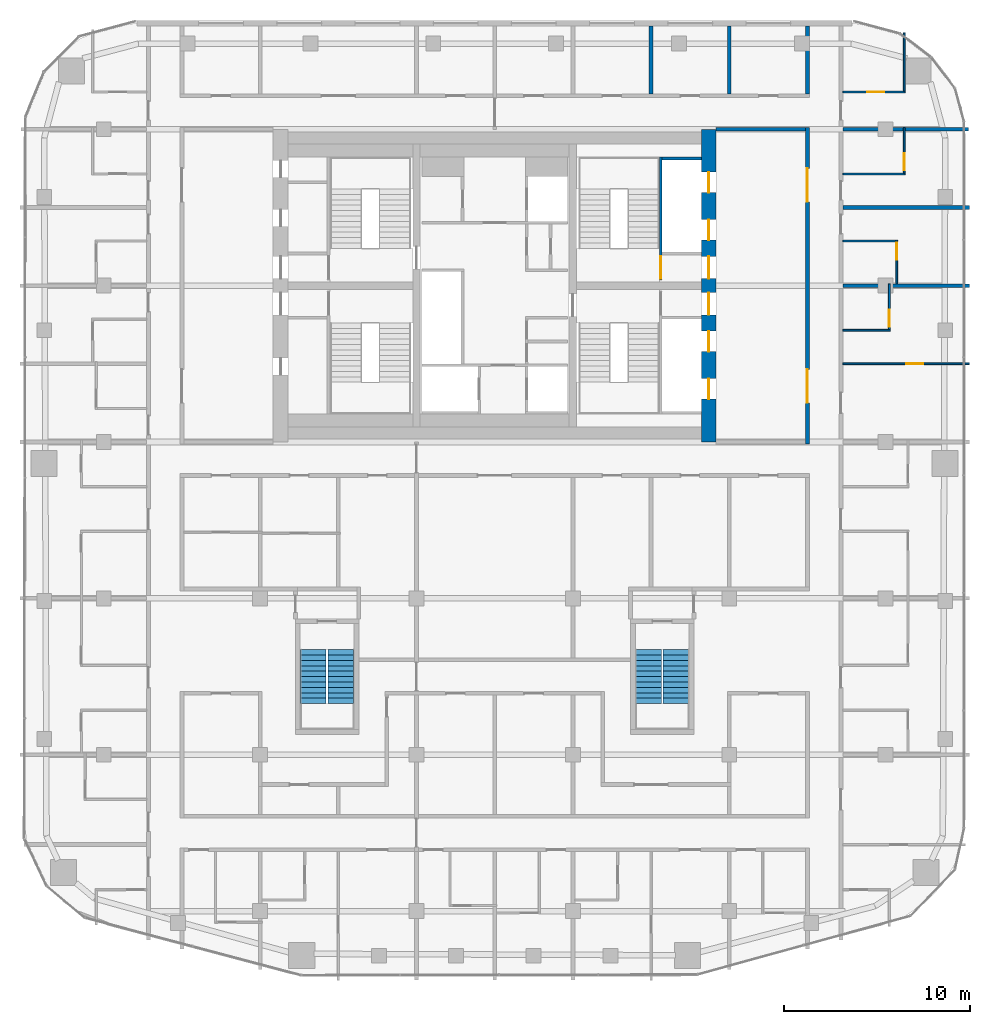
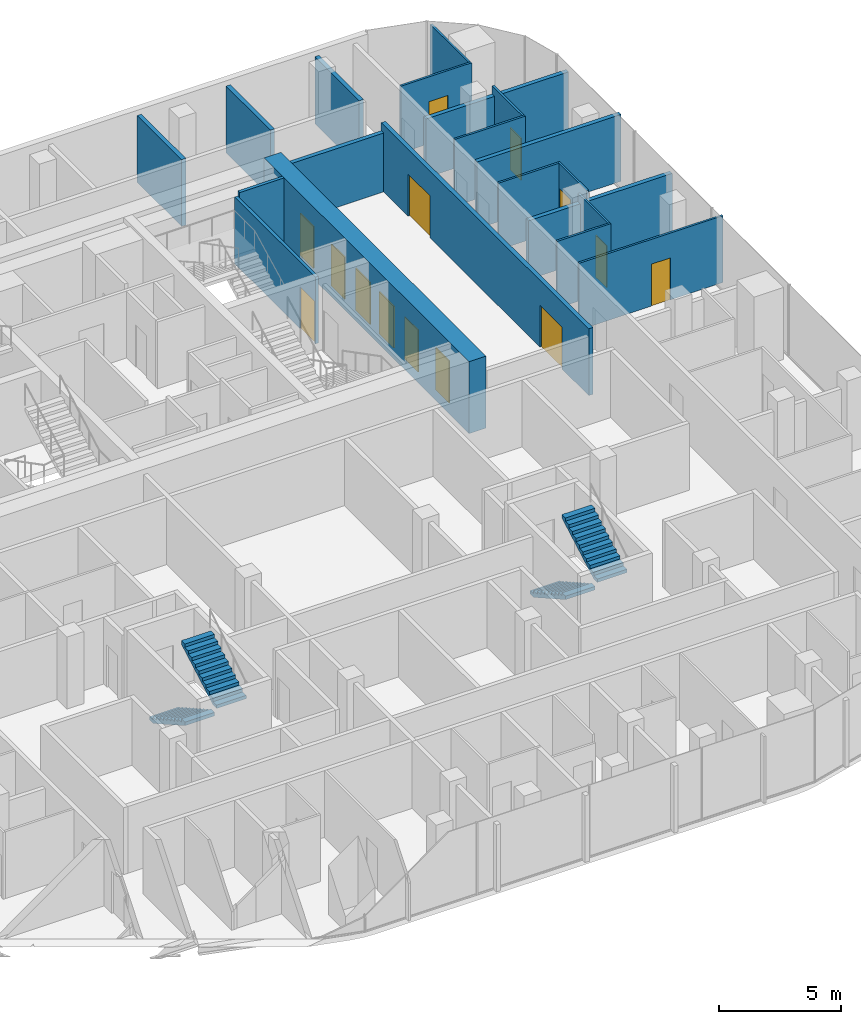
# One storey, part 20 of 22: 20 walls, 14 doors, 4 stair flights, 14 openings, 2 elements without a shape of their own.
"""IFC4 building model written with IfcOpenShell, lengths in metres."""

from ifc_helpers import new_model, si_unit, direction, frame, frame_2d, origin, place, context, subcontext, project, spatial, polyline, rectangle, outline, extrude, material, layer, layer_set, type_object, element, fill, aggregate, save


model = new_model("IFC4")

# Units and contexts
model_context = context("Model", 3, precision=1e-05, world=origin(), true_north=direction((0.0, 1.0)))
body_context = subcontext(model_context, "Body", "Model", "MODEL_VIEW")
ifc_project = project(units=[si_unit("LENGTHUNIT", "METRE"), si_unit("AREAUNIT", "SQUARE_METRE"), si_unit("VOLUMEUNIT", "CUBIC_METRE"), si_unit("PLANEANGLEUNIT", "RADIAN"), si_unit("MASSUNIT", "GRAM", prefix="KILO")], contexts=[model_context])

# Site, building, storey
site_placement = place(None, origin())
site = spatial("IfcSite", under=ifc_project, at=site_placement, CompositionType="ELEMENT")
building_placement = place(site_placement, origin())
building = spatial("IfcBuilding", under=site, at=building_placement, Name="Marenta Gate Hotel Tower", CompositionType="ELEMENT")
storey_placement = place(building_placement, frame((0.0, 0.0, 230.89990234375)))
storey = spatial("IfcBuildingStorey", under=building, at=storey_placement, Name="L54", CompositionType="ELEMENT", Elevation=230.89990234375)

# Wall, openings, doors
ifc_material_1 = material(Name="Concrete blockwork", Category="masonry")
ifc_layer_1 = layer(ifc_material_1, 0.199951171875)
ifc_layer_set_1 = layer_set([ifc_layer_1], Name="Concrete blockwork")
wall_type_1 = type_object("IfcWallType", Name="Core boundary wall 200 REI 180", PredefinedType="PARTITIONING", material=ifc_layer_set_1)
wall_1_placement = place(storey_placement, frame((16.800048828125, -0.10009765625, 0.0), z_axis=(0.0, 0.0, 1.0), x_axis=(0.0, 1.0, 0.0)))
wall_1 = element("IfcWall", 1, at=wall_1_placement, inside=storey, type_object=wall_type_1, Name="L54-CP-BW-E", PredefinedType="PARTITIONING", context=body_context, shape_type="SweptSolid", body=[
    extrude(rectangle(XDim=17.0, YDim=0.199951171875, at=frame_2d((8.5, 0.0))), origin(), (0.0, 0.0, 1.0), 3.340087890625),
])
opening_1_placement = place(wall_1_placement, frame((2.199951171875, 0.0, 0.0)))
opening_1 = element("IfcOpeningElement", 2, at=opening_1_placement, cuts=wall_1, Name="Opening ED-Ea-B", PredefinedType="OPENING", context=body_context, shape_type="SweptSolid", body=[
    extrude(rectangle(XDim=1.800048828125, YDim=2.10009765625, at=frame_2d((0.89990234375, 1.050048828125))), frame((0.0, 0.10009765625, 0.0), z_axis=(0.0, -1.0, 0.0), x_axis=(1.0, 0.0, 0.0)), (0.0, 0.0, 1.0), 0.199951171875),
])
opening_2_placement = place(wall_1_placement, frame((13.0, 0.0, 0.0)))
opening_2 = element("IfcOpeningElement", 3, at=opening_2_placement, cuts=wall_1, Name="Opening ED-Eb-B", PredefinedType="OPENING", context=body_context, shape_type="SweptSolid", body=[
    extrude(rectangle(XDim=1.800048828125, YDim=2.10009765625, at=frame_2d((0.89990234375, 1.050048828125))), frame((0.0, 0.10009765625, 0.0), z_axis=(0.0, -1.0, 0.0), x_axis=(1.0, 0.0, 0.0)), (0.0, 0.0, 1.0), 0.199951171875),
])
ifc_material_2 = material(Name="Steel", Category="steel")
door_type_1 = type_object("IfcDoorType", Name="Core lobby entrance door 1800x2100 EI 60", OperationType="DOUBLE_DOOR_SINGLE_SWING", PredefinedType="DOOR", material=ifc_material_2)
door_1_placement = place(opening_1_placement, origin())
door_1 = element("IfcDoor", 4, at=door_1_placement, inside=storey, type_object=door_type_1, Name="ED-Ea-B", OperationType="DOUBLE_DOOR_SINGLE_SWING", OverallHeight=2.10009765625, OverallWidth=1.800048828125, PredefinedType="DOOR", context=body_context, shape_type="SweptSolid", body=[
    extrude(rectangle(XDim=1.800048828125, YDim=2.10009765625, at=frame_2d((0.89990234375, 1.050048828125))), frame((0.0, 0.02490234375, 0.0), z_axis=(0.0, -1.0, 0.0), x_axis=(1.0, 0.0, 0.0)), (0.0, 0.0, 1.0), 0.050048828125),
])
fill(opening_1, door_1)
door_2_placement = place(opening_2_placement, origin())
door_2 = element("IfcDoor", 5, at=door_2_placement, inside=storey, type_object=door_type_1, Name="ED-Eb-B", OperationType="DOUBLE_DOOR_SINGLE_SWING", OverallHeight=2.10009765625, OverallWidth=1.800048828125, PredefinedType="DOOR", context=body_context, shape_type="SweptSolid", body=[
    extrude(rectangle(XDim=1.800048828125, YDim=2.10009765625, at=frame_2d((0.89990234375, 1.050048828125))), frame((0.0, 0.02490234375, 0.0), z_axis=(0.0, -1.0, 0.0), x_axis=(1.0, 0.0, 0.0)), (0.0, 0.0, 1.0), 0.050048828125),
])
fill(opening_2, door_2)

# Walls
wall_2_placement = place(storey_placement, frame((11.89990234375, 16.800048828125, 0.0), z_axis=(0.0, 0.0, 1.0), x_axis=(1.0, 0.0, 0.0)))
element("IfcWall", 6, at=wall_2_placement, inside=storey, type_object=wall_type_1, Name="L54-CP-EW-EN", PredefinedType="PARTITIONING", context=body_context, shape_type="SweptSolid", body=[
    extrude(rectangle(XDim=4.800048828125, YDim=0.199951171875, at=frame_2d((2.39990234375, 0.0))), origin(), (0.0, 0.0, 1.0), 2.940185546875),
])
ifc_material_3 = material(Name="Concrete C40", Category="concrete")
ifc_layer_2 = layer(ifc_material_3, 0.14990234375)
ifc_layer_set_2 = layer_set([ifc_layer_2], Name="Concrete C40")
wall_type_2 = type_object("IfcWallType", Name="Core shaft wall 150 REI 180", PredefinedType="SHEAR", material=ifc_layer_set_2)
wall_3_placement = place(storey_placement, frame((9.0, 15.22509765625, 0.0), z_axis=(0.0, 0.0, 1.0), x_axis=(1.0, 0.0, 0.0)))
element("IfcWall", 7, at=wall_3_placement, inside=storey, type_object=wall_type_2, Name="L54-SHF-SW-EN-5", PredefinedType="SHEAR", context=body_context, shape_type="SweptSolid", body=[
    extrude(rectangle(XDim=2.10009765625, YDim=0.14990234375, at=frame_2d((1.050048828125, 0.0))), origin(), (0.0, 0.0, 1.0), 3.60009765625),
])

# Wall, opening, door
ifc_material_4 = material(Name="Concrete C40", Category="concrete")
ifc_layer_3 = layer(ifc_material_4, 0.14990234375)
ifc_layer_set_3 = layer_set([ifc_layer_3], Name="Concrete C40")
wall_type_3 = type_object("IfcWallType", Name="Core stair enclosure wall 150 REI 180", PredefinedType="SHEAR", material=ifc_layer_set_3)
wall_4_placement = place(storey_placement, frame((8.925048828125, 8.699951171875, 0.0), z_axis=(0.0, 0.0, 1.0), x_axis=(0.0, 1.0, 0.0)))
wall_4 = element("IfcWall", 8, at=wall_4_placement, inside=storey, type_object=wall_type_3, Name="L54-SHF-SW-EN-3", PredefinedType="SHEAR", context=body_context, shape_type="SweptSolid", body=[
    extrude(rectangle(XDim=6.60009765625, YDim=0.14990234375, at=frame_2d((3.300048828125, 0.0))), origin(), (0.0, 0.0, 1.0), 3.340087890625),
])
opening_3_placement = place(wall_4_placement, frame((0.074951171875, 0.0, 0.0)))
opening_3 = element("IfcOpeningElement", 9, at=opening_3_placement, cuts=wall_4, Name="Opening SD-EN", PredefinedType="OPENING", context=body_context, shape_type="SweptSolid", body=[
    extrude(rectangle(XDim=1.199951171875, YDim=2.10009765625, at=frame_2d((0.60009765625, 1.050048828125))), frame((0.0, 0.074951171875, 0.0), z_axis=(0.0, -1.0, 0.0), x_axis=(1.0, 0.0, 0.0)), (0.0, 0.0, 1.0), 0.14990234375),
])
ifc_material_5 = material(Name="Steel", Category="steel")
door_type_2 = type_object("IfcDoorType", Name="Core stair door 1200x2100 FD60", OperationType="SINGLE_SWING_LEFT", PredefinedType="DOOR", material=ifc_material_5)
door_3_placement = place(opening_3_placement, origin())
door_3 = element("IfcDoor", 10, at=door_3_placement, inside=storey, type_object=door_type_2, Name="SD-EN", OperationType="SINGLE_SWING_LEFT", OverallHeight=2.10009765625, OverallWidth=1.199951171875, PredefinedType="DOOR", context=body_context, shape_type="SweptSolid", body=[
    extrude(rectangle(XDim=1.199951171875, YDim=2.10009765625, at=frame_2d((0.60009765625, 1.050048828125))), frame((0.0, 0.02490234375, 0.0), z_axis=(0.0, -1.0, 0.0), x_axis=(1.0, 0.0, 0.0)), (0.0, 0.0, 1.0), 0.050048828125),
])
fill(opening_3, door_3)

# Wall, openings, doors
ifc_material_6 = material(Name="Concrete C60", Category="concrete")
ifc_layer_4 = layer(ifc_material_6, 0.800048828125)
ifc_layer_set_4 = layer_set([ifc_layer_4], Name="Concrete C60")
wall_type_4 = type_object("IfcWallType", Name="Core wall 800 C60", PredefinedType="SHEAR", material=ifc_layer_set_4)
wall_5_placement = place(storey_placement, frame((11.5, 0.0, 0.0), z_axis=(0.0, 0.0, 1.0), x_axis=(0.0, 1.0, 0.0)))
wall_5 = element("IfcWall", 11, at=wall_5_placement, inside=storey, type_object=wall_type_4, Name="L54-CORE-E", PredefinedType="SHEAR", context=body_context, shape_type="SweptSolid", body=[
    extrude(rectangle(XDim=16.800048828125, YDim=0.800048828125, at=frame_2d((8.39990234375, 0.0))), origin(), (0.0, 0.0, 1.0), 3.60009765625),
])
opening_4_placement = place(wall_5_placement, frame((2.300048828125, 0.0, 0.0)))
opening_4 = element("IfcOpeningElement", 12, at=opening_4_placement, cuts=wall_5, Name="Opening LD-HR1", PredefinedType="OPENING", context=body_context, shape_type="SweptSolid", body=[
    extrude(rectangle(XDim=1.10009765625, YDim=2.10009765625, at=frame_2d((0.550048828125, 1.050048828125))), frame((0.0, 0.39990234375, 0.0), z_axis=(0.0, -1.0, 0.0), x_axis=(1.0, 0.0, 0.0)), (0.0, 0.0, 1.0), 0.800048828125),
])
opening_5_placement = place(wall_5_placement, frame((4.85009765625, 0.0, 0.0)))
opening_5 = element("IfcOpeningElement", 13, at=opening_5_placement, cuts=wall_5, Name="Opening LD-HR2", PredefinedType="OPENING", context=body_context, shape_type="SweptSolid", body=[
    extrude(rectangle(XDim=1.10009765625, YDim=2.10009765625, at=frame_2d((0.550048828125, 1.050048828125))), frame((0.0, 0.39990234375, 0.0), z_axis=(0.0, -1.0, 0.0), x_axis=(1.0, 0.0, 0.0)), (0.0, 0.0, 1.0), 0.800048828125),
])
opening_6_placement = place(wall_5_placement, frame((6.824951171875, 0.0, 0.0)))
opening_6 = element("IfcOpeningElement", 14, at=opening_6_placement, cuts=wall_5, Name="Opening PD-ES", PredefinedType="OPENING", context=body_context, shape_type="SweptSolid", body=[
    extrude(rectangle(XDim=1.199951171875, YDim=2.10009765625, at=frame_2d((0.60009765625, 1.050048828125))), frame((0.0, 0.39990234375, 0.0), z_axis=(0.0, -1.0, 0.0), x_axis=(1.0, 0.0, 0.0)), (0.0, 0.0, 1.0), 0.800048828125),
])
opening_7_placement = place(wall_5_placement, frame((13.39990234375, 0.0, 0.0)))
opening_7 = element("IfcOpeningElement", 15, at=opening_7_placement, cuts=wall_5, Name="Opening LD-HR4", PredefinedType="OPENING", context=body_context, shape_type="SweptSolid", body=[
    extrude(rectangle(XDim=1.10009765625, YDim=2.10009765625, at=frame_2d((0.550048828125, 1.050048828125))), frame((0.0, 0.39990234375, 0.0), z_axis=(0.0, -1.0, 0.0), x_axis=(1.0, 0.0, 0.0)), (0.0, 0.0, 1.0), 0.800048828125),
])
opening_8_placement = place(wall_5_placement, frame((10.85009765625, 0.0, 0.0)))
opening_8 = element("IfcOpeningElement", 16, at=opening_8_placement, cuts=wall_5, Name="Opening LD-HR3", PredefinedType="OPENING", context=body_context, shape_type="SweptSolid", body=[
    extrude(rectangle(XDim=1.10009765625, YDim=2.10009765625, at=frame_2d((0.550048828125, 1.050048828125))), frame((0.0, 0.39990234375, 0.0), z_axis=(0.0, -1.0, 0.0), x_axis=(1.0, 0.0, 0.0)), (0.0, 0.0, 1.0), 0.800048828125),
])
opening_9_placement = place(wall_5_placement, frame((8.77490234375, 0.0, 0.0)))
opening_9 = element("IfcOpeningElement", 17, at=opening_9_placement, cuts=wall_5, Name="Opening PD-EN", PredefinedType="OPENING", context=body_context, shape_type="SweptSolid", body=[
    extrude(rectangle(XDim=1.199951171875, YDim=2.10009765625, at=frame_2d((0.60009765625, 1.050048828125))), frame((0.0, 0.39990234375, 0.0), z_axis=(0.0, -1.0, 0.0), x_axis=(1.0, 0.0, 0.0)), (0.0, 0.0, 1.0), 0.800048828125),
])
ifc_material_7 = material(Name="Steel", Category="steel")
door_type_3 = type_object("IfcDoorType", Name="Core lift landing door 1100x2100 E 60", OperationType="SLIDING_TO_LEFT", PredefinedType="DOOR", material=ifc_material_7)
door_4_placement = place(opening_4_placement, origin())
door_4 = element("IfcDoor", 18, at=door_4_placement, inside=storey, type_object=door_type_3, Name="LD-HR1", OperationType="SLIDING_TO_LEFT", OverallHeight=2.10009765625, OverallWidth=1.10009765625, PredefinedType="DOOR", context=body_context, shape_type="SweptSolid", body=[
    extrude(rectangle(XDim=1.10009765625, YDim=2.10009765625, at=frame_2d((0.550048828125, 1.050048828125))), frame((0.0, 0.02490234375, 0.0), z_axis=(0.0, -1.0, 0.0), x_axis=(1.0, 0.0, 0.0)), (0.0, 0.0, 1.0), 0.050048828125),
])
fill(opening_4, door_4)
door_5_placement = place(opening_5_placement, origin())
door_5 = element("IfcDoor", 19, at=door_5_placement, inside=storey, type_object=door_type_3, Name="LD-HR2", OperationType="SLIDING_TO_LEFT", OverallHeight=2.10009765625, OverallWidth=1.10009765625, PredefinedType="DOOR", context=body_context, shape_type="SweptSolid", body=[
    extrude(rectangle(XDim=1.10009765625, YDim=2.10009765625, at=frame_2d((0.550048828125, 1.050048828125))), frame((0.0, 0.02490234375, 0.0), z_axis=(0.0, -1.0, 0.0), x_axis=(1.0, 0.0, 0.0)), (0.0, 0.0, 1.0), 0.050048828125),
])
fill(opening_5, door_5)
door_6_placement = place(opening_7_placement, origin())
door_6 = element("IfcDoor", 20, at=door_6_placement, inside=storey, type_object=door_type_3, Name="LD-HR4", OperationType="SLIDING_TO_LEFT", OverallHeight=2.10009765625, OverallWidth=1.10009765625, PredefinedType="DOOR", context=body_context, shape_type="SweptSolid", body=[
    extrude(rectangle(XDim=1.10009765625, YDim=2.10009765625, at=frame_2d((0.550048828125, 1.050048828125))), frame((0.0, 0.02490234375, 0.0), z_axis=(0.0, -1.0, 0.0), x_axis=(1.0, 0.0, 0.0)), (0.0, 0.0, 1.0), 0.050048828125),
])
fill(opening_7, door_6)
door_7_placement = place(opening_8_placement, origin())
door_7 = element("IfcDoor", 21, at=door_7_placement, inside=storey, type_object=door_type_3, Name="LD-HR3", OperationType="SLIDING_TO_LEFT", OverallHeight=2.10009765625, OverallWidth=1.10009765625, PredefinedType="DOOR", context=body_context, shape_type="SweptSolid", body=[
    extrude(rectangle(XDim=1.10009765625, YDim=2.10009765625, at=frame_2d((0.550048828125, 1.050048828125))), frame((0.0, 0.02490234375, 0.0), z_axis=(0.0, -1.0, 0.0), x_axis=(1.0, 0.0, 0.0)), (0.0, 0.0, 1.0), 0.050048828125),
])
fill(opening_8, door_7)
ifc_material_8 = material(Name="Steel", Category="steel")
door_type_4 = type_object("IfcDoorType", Name="Core lobby door 1200x2100 FD60", OperationType="SINGLE_SWING_LEFT", PredefinedType="DOOR", material=ifc_material_8)
door_8_placement = place(opening_6_placement, origin())
door_8 = element("IfcDoor", 22, at=door_8_placement, inside=storey, type_object=door_type_4, Name="PD-ES", OperationType="SINGLE_SWING_LEFT", OverallHeight=2.10009765625, OverallWidth=1.199951171875, PredefinedType="DOOR", context=body_context, shape_type="SweptSolid", body=[
    extrude(rectangle(XDim=1.199951171875, YDim=2.10009765625, at=frame_2d((0.60009765625, 1.050048828125))), frame((0.0, 0.02490234375, 0.0), z_axis=(0.0, -1.0, 0.0), x_axis=(1.0, 0.0, 0.0)), (0.0, 0.0, 1.0), 0.050048828125),
])
fill(opening_6, door_8)
door_9_placement = place(opening_9_placement, origin())
door_9 = element("IfcDoor", 23, at=door_9_placement, inside=storey, type_object=door_type_4, Name="PD-EN", OperationType="SINGLE_SWING_LEFT", OverallHeight=2.10009765625, OverallWidth=1.199951171875, PredefinedType="DOOR", context=body_context, shape_type="SweptSolid", body=[
    extrude(rectangle(XDim=1.199951171875, YDim=2.10009765625, at=frame_2d((0.60009765625, 1.050048828125))), frame((0.0, 0.02490234375, 0.0), z_axis=(0.0, -1.0, 0.0), x_axis=(1.0, 0.0, 0.0)), (0.0, 0.0, 1.0), 0.050048828125),
])
fill(opening_9, door_9)

# Wall
ifc_material_9 = material(Name="Gypsum board on steel stud", Category="steel")
ifc_layer_5 = layer(ifc_material_9, 0.199951171875)
ifc_layer_set_5 = layer_set([ifc_layer_5], Name="Gypsum board on steel stud")
wall_type_5 = type_object("IfcWallType", Name="Room corridor wall 200 EI 60", PredefinedType="PARTITIONING", material=ifc_layer_set_5)
wall_6_placement = place(storey_placement, frame((16.800048828125, 18.699951171875, 0.0), z_axis=(0.0, 0.0, 1.0), x_axis=(0.0, 1.0, 0.0)))
element("IfcWall", 24, at=wall_6_placement, inside=storey, type_object=wall_type_5, Name="L54-PTN-W029", PredefinedType="PARTITIONING", context=body_context, shape_type="SweptSolid", body=[
    extrude(rectangle(XDim=3.64013671875, YDim=0.199951171875, at=frame_2d((1.820068359375, 0.0))), origin(), (0.0, 0.0, 1.0), 3.340087890625),
])

# Wall, opening, door
ifc_material_10 = material(Name="Gypsum board on steel stud", Category="steel")
ifc_layer_6 = layer(ifc_material_10, 0.10009765625)
ifc_layer_set_6 = layer_set([ifc_layer_6], Name="Gypsum board on steel stud")
wall_type_6 = type_object("IfcWallType", Name="Room partition 100", PredefinedType="PARTITIONING", material=ifc_layer_set_6)
wall_7_placement = place(storey_placement, frame((22.0, 14.449951171875, 0.0), z_axis=(0.0, 0.0, 1.0), x_axis=(0.0, 1.0, 0.0)))
wall_7 = element("IfcWall", 25, at=wall_7_placement, inside=storey, type_object=wall_type_6, Name="L54-PTN-W013", PredefinedType="PARTITIONING", context=body_context, shape_type="SweptSolid", body=[
    extrude(rectangle(XDim=2.449951171875, YDim=0.10009765625, at=frame_2d((1.22509765625, 0.0))), origin(), (0.0, 0.0, 1.0), 3.340087890625),
])
opening_10_placement = place(wall_7_placement, frame((0.14990234375, 0.0, 0.0)))
opening_10 = element("IfcOpeningElement", 26, at=opening_10_placement, cuts=wall_7, Name="Opening G20-32", PredefinedType="OPENING", context=body_context, shape_type="SweptSolid", body=[
    extrude(rectangle(XDim=0.89990234375, YDim=2.10009765625, at=frame_2d((0.449951171875, 1.050048828125))), frame((0.0, 0.050048828125, 0.0), z_axis=(0.0, -1.0, 0.0), x_axis=(1.0, 0.0, 0.0)), (0.0, 0.0, 1.0), 0.10009765625),
])
ifc_material_11 = material(Name="Timber door leaf", Category="wood")
door_type_5 = type_object("IfcDoorType", Name="Guest bathroom door 900x2100", OperationType="NOTDEFINED", PredefinedType="DOOR", material=ifc_material_11)
door_10_placement = place(opening_10_placement, origin())
door_10 = element("IfcDoor", 27, at=door_10_placement, inside=storey, type_object=door_type_5, Name="L54-PD-D032", OperationType="SINGLE_SWING_LEFT", OverallHeight=2.10009765625, OverallWidth=0.89990234375, PredefinedType="DOOR", context=body_context, shape_type="SweptSolid", body=[
    extrude(rectangle(XDim=0.89990234375, YDim=2.10009765625, at=frame_2d((0.449951171875, 1.050048828125))), frame((0.0, 0.02490234375, 0.0), z_axis=(0.0, -1.0, 0.0), x_axis=(1.0, 0.0, 0.0)), (0.0, 0.0, 1.0), 0.050048828125),
])
fill(opening_10, door_10)

# Wall
wall_8_placement = place(storey_placement, frame((22.0, 18.85009765625, 0.0), z_axis=(0.0, 0.0, 1.0), x_axis=(0.0, 1.0, 0.0)))
element("IfcWall", 28, at=wall_8_placement, inside=storey, type_object=wall_type_6, Name="L54-PTN-W014", PredefinedType="PARTITIONING", context=body_context, shape_type="SweptSolid", body=[
    extrude(rectangle(XDim=3.12890625, YDim=0.10009765625, at=frame_2d((1.564453125, 0.0))), origin(), (0.0, 0.0, 1.0), 3.340087890625),
])

# Wall, opening, door
wall_9_placement = place(storey_placement, frame((21.60009765625, 8.5, 0.0), z_axis=(0.0, 0.0, 1.0), x_axis=(0.0, 1.0, 0.0)))
wall_9 = element("IfcWall", 29, at=wall_9_placement, inside=storey, type_object=wall_type_6, Name="L54-PTN-W018", PredefinedType="PARTITIONING", context=body_context, shape_type="SweptSolid", body=[
    extrude(rectangle(XDim=2.35009765625, YDim=0.10009765625, at=frame_2d((1.175048828125, 0.0))), origin(), (0.0, 0.0, 1.0), 3.340087890625),
])
opening_11_placement = place(wall_9_placement, frame((1.300048828125, 0.0, 0.0)))
opening_11 = element("IfcOpeningElement", 30, at=opening_11_placement, cuts=wall_9, Name="Opening G20-30", PredefinedType="OPENING", context=body_context, shape_type="SweptSolid", body=[
    extrude(rectangle(XDim=0.89990234375, YDim=2.10009765625, at=frame_2d((0.449951171875, 1.050048828125))), frame((0.0, 0.050048828125, 0.0), z_axis=(0.0, -1.0, 0.0), x_axis=(1.0, 0.0, 0.0)), (0.0, 0.0, 1.0), 0.10009765625),
])
door_11_placement = place(opening_11_placement, origin())
door_11 = element("IfcDoor", 31, at=door_11_placement, inside=storey, type_object=door_type_5, Name="L54-PD-D030", OperationType="SINGLE_SWING_RIGHT", OverallHeight=2.10009765625, OverallWidth=0.89990234375, PredefinedType="DOOR", context=body_context, shape_type="SweptSolid", body=[
    extrude(rectangle(XDim=0.89990234375, YDim=2.10009765625, at=frame_2d((0.449951171875, 1.050048828125))), frame((0.0, 0.02490234375, 0.0), z_axis=(0.0, -1.0, 0.0), x_axis=(1.0, 0.0, 0.0)), (0.0, 0.0, 1.0), 0.050048828125),
])
fill(opening_11, door_11)

wall_10_placement = place(storey_placement, frame((21.199951171875, 6.050048828125, 0.0), z_axis=(0.0, 0.0, 1.0), x_axis=(0.0, 1.0, 0.0)))
wall_10 = element("IfcWall", 32, at=wall_10_placement, inside=storey, type_object=wall_type_6, Name="L54-PTN-W020", PredefinedType="PARTITIONING", context=body_context, shape_type="SweptSolid", body=[
    extrude(rectangle(XDim=2.449951171875, YDim=0.10009765625, at=frame_2d((1.22509765625, 0.0))), origin(), (0.0, 0.0, 1.0), 3.340087890625),
])
opening_12_placement = place(wall_10_placement, frame((0.14990234375, 0.0, 0.0)))
opening_12 = element("IfcOpeningElement", 33, at=opening_12_placement, cuts=wall_10, Name="Opening G20-28", PredefinedType="OPENING", context=body_context, shape_type="SweptSolid", body=[
    extrude(rectangle(XDim=0.89990234375, YDim=2.10009765625, at=frame_2d((0.449951171875, 1.050048828125))), frame((0.0, 0.050048828125, 0.0), z_axis=(0.0, -1.0, 0.0), x_axis=(1.0, 0.0, 0.0)), (0.0, 0.0, 1.0), 0.10009765625),
])
door_12_placement = place(opening_12_placement, origin())
door_12 = element("IfcDoor", 34, at=door_12_placement, inside=storey, type_object=door_type_5, Name="L54-PD-D028", OperationType="SINGLE_SWING_LEFT", OverallHeight=2.10009765625, OverallWidth=0.89990234375, PredefinedType="DOOR", context=body_context, shape_type="SweptSolid", body=[
    extrude(rectangle(XDim=0.89990234375, YDim=2.10009765625, at=frame_2d((0.449951171875, 1.050048828125))), frame((0.0, 0.02490234375, 0.0), z_axis=(0.0, -1.0, 0.0), x_axis=(1.0, 0.0, 0.0)), (0.0, 0.0, 1.0), 0.050048828125),
])
fill(opening_12, door_12)

wall_11_placement = place(storey_placement, frame((18.699951171875, 4.199951171875, 0.0), z_axis=(0.0, 0.0, 1.0), x_axis=(1.0, 0.0, 0.0)))
wall_11 = element("IfcWall", 35, at=wall_11_placement, inside=storey, type_object=wall_type_6, Name="L54-PTN-W083", PredefinedType="PARTITIONING", context=body_context, shape_type="SweptSolid", body=[
    extrude(rectangle(XDim=6.800048828125, YDim=0.10009765625, at=frame_2d((3.39990234375, 0.0))), origin(), (0.0, 0.0, 1.0), 3.340087890625),
])
opening_13_placement = place(wall_11_placement, frame((3.409912109375, 0.0, 0.0)))
opening_13 = element("IfcOpeningElement", 36, at=opening_13_placement, cuts=wall_11, Name="Opening G20-27", PredefinedType="OPENING", context=body_context, shape_type="SweptSolid", body=[
    extrude(rectangle(XDim=0.89990234375, YDim=2.10009765625, at=frame_2d((0.449951171875, 1.050048828125))), frame((0.0, 0.050048828125, 0.0), z_axis=(0.0, -1.0, 0.0), x_axis=(1.0, 0.0, 0.0)), (0.0, 0.0, 1.0), 0.10009765625),
])
ifc_material_12 = material(Name="Timber door leaf", Category="wood")
door_type_6 = type_object("IfcDoorType", Name="Room inner door 900x2100", OperationType="NOTDEFINED", PredefinedType="DOOR", material=ifc_material_12)
door_13_placement = place(opening_13_placement, origin())
door_13 = element("IfcDoor", 37, at=door_13_placement, inside=storey, type_object=door_type_6, Name="L54-PD-D027", OperationType="SINGLE_SWING_RIGHT", OverallHeight=2.10009765625, OverallWidth=0.89990234375, PredefinedType="DOOR", context=body_context, shape_type="SweptSolid", body=[
    extrude(rectangle(XDim=0.89990234375, YDim=2.10009765625, at=frame_2d((0.449951171875, 1.050048828125))), frame((0.0, 0.02490234375, 0.0), z_axis=(0.0, -1.0, 0.0), x_axis=(1.0, 0.0, 0.0)), (0.0, 0.0, 1.0), 0.050048828125),
])
fill(opening_13, door_13)

# Walls
wall_12_placement = place(storey_placement, frame((18.699951171875, 6.0, 0.0), z_axis=(0.0, 0.0, 1.0), x_axis=(1.0, 0.0, 0.0)))
element("IfcWall", 38, at=wall_12_placement, inside=storey, type_object=wall_type_6, Name="L54-PTN-W085", PredefinedType="PARTITIONING", context=body_context, shape_type="SweptSolid", body=[
    extrude(rectangle(XDim=2.550048828125, YDim=0.10009765625, at=frame_2d((1.27490234375, 0.0))), origin(), (0.0, 0.0, 1.0), 3.340087890625),
])
wall_13_placement = place(storey_placement, frame((18.699951171875, 10.800048828125, 0.0), z_axis=(0.0, 0.0, 1.0), x_axis=(1.0, 0.0, 0.0)))
element("IfcWall", 39, at=wall_13_placement, inside=storey, type_object=wall_type_6, Name="L54-PTN-W096", PredefinedType="PARTITIONING", context=body_context, shape_type="SweptSolid", body=[
    extrude(rectangle(XDim=2.85009765625, YDim=0.10009765625, at=frame_2d((1.425048828125, 0.0))), origin(), (0.0, 0.0, 1.0), 3.340087890625),
])
wall_14_placement = place(storey_placement, frame((18.699951171875, 14.39990234375, 0.0), z_axis=(0.0, 0.0, 1.0), x_axis=(1.0, 0.0, 0.0)))
element("IfcWall", 40, at=wall_14_placement, inside=storey, type_object=wall_type_6, Name="L54-PTN-W105", PredefinedType="PARTITIONING", context=body_context, shape_type="SweptSolid", body=[
    extrude(rectangle(XDim=3.35009765625, YDim=0.10009765625, at=frame_2d((1.675048828125, 0.0))), origin(), (0.0, 0.0, 1.0), 3.340087890625),
])

# Wall, opening, door
wall_15_placement = place(storey_placement, frame((18.699951171875, 18.800048828125, 0.0), z_axis=(0.0, 0.0, 1.0), x_axis=(1.0, 0.0, 0.0)))
wall_15 = element("IfcWall", 41, at=wall_15_placement, inside=storey, type_object=wall_type_6, Name="L54-PTN-W116", PredefinedType="PARTITIONING", context=body_context, shape_type="SweptSolid", body=[
    extrude(rectangle(XDim=3.35009765625, YDim=0.10009765625, at=frame_2d((1.675048828125, 0.0))), origin(), (0.0, 0.0, 1.0), 3.340087890625),
])
opening_14_placement = place(wall_15_placement, frame((1.320068359375, 0.0, 0.0)))
opening_14 = element("IfcOpeningElement", 42, at=opening_14_placement, cuts=wall_15, Name="Opening G20-34", PredefinedType="OPENING", context=body_context, shape_type="SweptSolid", body=[
    extrude(rectangle(XDim=0.89990234375, YDim=2.10009765625, at=frame_2d((0.449951171875, 1.050048828125))), frame((0.0, 0.050048828125, 0.0), z_axis=(0.0, -1.0, 0.0), x_axis=(1.0, 0.0, 0.0)), (0.0, 0.0, 1.0), 0.10009765625),
])
door_14_placement = place(opening_14_placement, origin())
door_14 = element("IfcDoor", 43, at=door_14_placement, inside=storey, type_object=door_type_5, Name="L54-PD-D034", OperationType="SINGLE_SWING_RIGHT", OverallHeight=2.10009765625, OverallWidth=0.89990234375, PredefinedType="DOOR", context=body_context, shape_type="SweptSolid", body=[
    extrude(rectangle(XDim=0.89990234375, YDim=2.10009765625, at=frame_2d((0.449951171875, 1.050048828125))), frame((0.0, 0.02490234375, 0.0), z_axis=(0.0, -1.0, 0.0), x_axis=(1.0, 0.0, 0.0)), (0.0, 0.0, 1.0), 0.050048828125),
])
fill(opening_14, door_14)

# Walls
ifc_material_13 = material(Name="Gypsum board on steel stud", Category="steel")
ifc_layer_7 = layer(ifc_material_13, 0.199951171875)
ifc_layer_set_7 = layer_set([ifc_layer_7], Name="Gypsum board on steel stud")
wall_type_7 = type_object("IfcWallType", Name="Room party wall 200 EI 60", PredefinedType="PARTITIONING", material=ifc_layer_set_7)
for number, where, z_axis, x_axis, name in (
    (44, (12.60009765625, 18.699951171875, 0.0), (0.0, 0.0, 1.0), (0.0, 1.0, 0.0), "L54-PTN-W041"),
    (45, (8.39990234375, 18.699951171875, 0.0), (0.0, 0.0, 1.0), (0.0, 1.0, 0.0), "L54-PTN-W049"),
):
    element("IfcWall", number, at=place(storey_placement, frame(where, z_axis=z_axis, x_axis=x_axis)), inside=storey, type_object=wall_type_7, Name=name, PredefinedType="PARTITIONING", context=body_context, shape_type="SweptSolid", body=[
        extrude(rectangle(XDim=3.64013671875, YDim=0.199951171875, at=frame_2d((1.820068359375, 0.0))), origin(), (0.0, 0.0, 1.0), 3.340087890625),
    ])
wall_16_placement = place(storey_placement, frame((18.699951171875, 8.39990234375, 0.0), z_axis=(0.0, 0.0, 1.0), x_axis=(1.0, 0.0, 0.0)))
element("IfcWall", 46, at=wall_16_placement, inside=storey, type_object=wall_type_7, Name="L54-PTN-W092", PredefinedType="PARTITIONING", context=body_context, shape_type="SweptSolid", body=[
    extrude(rectangle(XDim=6.800048828125, YDim=0.199951171875, at=frame_2d((3.39990234375, 0.0))), origin(), (0.0, 0.0, 1.0), 2.940185546875),
])
wall_17_placement = place(storey_placement, frame((18.699951171875, 12.60009765625, 0.0), z_axis=(0.0, 0.0, 1.0), x_axis=(1.0, 0.0, 0.0)))
element("IfcWall", 47, at=wall_17_placement, inside=storey, type_object=wall_type_7, Name="L54-PTN-W103", PredefinedType="PARTITIONING", context=body_context, shape_type="SweptSolid", body=[
    extrude(rectangle(XDim=6.800048828125, YDim=0.199951171875, at=frame_2d((3.39990234375, 0.0))), origin(), (0.0, 0.0, 1.0), 3.340087890625),
])
wall_18_placement = place(storey_placement, frame((18.699951171875, 16.800048828125, 0.0), z_axis=(0.0, 0.0, 1.0), x_axis=(1.0, 0.0, 0.0)))
element("IfcWall", 48, at=wall_18_placement, inside=storey, type_object=wall_type_7, Name="L54-PTN-W112", PredefinedType="PARTITIONING", context=body_context, shape_type="SweptSolid", body=[
    extrude(rectangle(XDim=6.7470703125, YDim=0.199951171875, at=frame_2d((3.37353515625, 0.0))), origin(), (0.0, 0.0, 1.0), 2.940185546875),
])

# Stair, stair flights
ifc_material_14 = material(Name="Concrete C40", Category="concrete")
stair_type = type_object("IfcStairType", Name="Remote exit stair 1400 wide", PredefinedType="HALF_TURN_STAIR", material=ifc_material_14)
stair_1_placement = place(storey_placement, origin())
stair_1 = element("IfcStair", 49, at=stair_1_placement, inside=storey, type_object=stair_type, Name="Exit stair RS-Z3-1", PredefinedType="HALF_TURN_STAIR")
ifc_material_15 = material(Name="Concrete C40", Category="concrete")
stair_flight_type = type_object("IfcStairFlightType", Name="Remote stair flight 1400 riser 163.6 going 290", PredefinedType="STRAIGHT", material=ifc_material_15)
stair_flight_1_placement = place(storey_placement, frame((-9.75, -11.14990234375, 0.0), z_axis=(0.0, 0.0, 1.0), x_axis=(0.0, -1.0, 0.0)))
stair_flight_1 = element("IfcStairFlight", 50, at=stair_flight_1_placement, type_object=stair_flight_type, Name="RS-Z3-1 flight 1", NumberOfRisers=11, NumberOfTreads=10, PredefinedType="STRAIGHT", RiserHeight=0.163636, TreadLength=0.29, context=body_context, shape_type="SweptSolid", body=[
    extrude(outline(polyline([(0.0, 0.0), (0.0, 0.16357421875), (0.2900390625, 0.16357421875), (0.2900390625, 0.327392578125), (0.580078125, 0.327392578125), (0.580078125, 0.490966796875), (0.8701171875, 0.490966796875), (0.8701171875, 0.654541015625), (1.159912109375, 0.654541015625), (1.159912109375, 0.818115234375), (1.449951171875, 0.818115234375), (1.449951171875, 0.98193359375), (1.739990234375, 0.98193359375), (1.739990234375, 1.1455078125), (2.030029296875, 1.1455078125), (2.030029296875, 1.30908203125), (2.320068359375, 1.30908203125), (2.320068359375, 1.47265625), (2.610107421875, 1.47265625), (2.610107421875, 1.636474609375), (2.89990234375, 1.636474609375), (2.89990234375, 1.800048828125), (2.89990234375, 1.46435546875), (0.304931640625, 0.0), (0.0, 0.0)])), frame((0.0, 0.699951171875, 0.0), z_axis=(0.0, -1.0, 0.0), x_axis=(1.0, 0.0, 0.0)), (0.0, 0.0, 1.0), 1.39990234375),
])
stair_flight_2_placement = place(storey_placement, frame((-8.25, -14.050048828125, 1.800048828125), z_axis=(0.0, 0.0, 1.0), x_axis=(0.0, 1.0, 0.0)))
stair_flight_2 = element("IfcStairFlight", 51, at=stair_flight_2_placement, type_object=stair_flight_type, Name="RS-Z3-1 flight 2", NumberOfRisers=11, NumberOfTreads=10, PredefinedType="STRAIGHT", RiserHeight=0.163636, TreadLength=0.29, context=body_context, shape_type="SweptSolid", body=[
    extrude(outline(polyline([(0.0, 0.0), (0.0, 0.16357421875), (0.2900390625, 0.16357421875), (0.2900390625, 0.327392578125), (0.580078125, 0.327392578125), (0.580078125, 0.490966796875), (0.8701171875, 0.490966796875), (0.8701171875, 0.654541015625), (1.159912109375, 0.654541015625), (1.159912109375, 0.818115234375), (1.449951171875, 0.818115234375), (1.449951171875, 0.98193359375), (1.739990234375, 0.98193359375), (1.739990234375, 1.1455078125), (2.030029296875, 1.1455078125), (2.030029296875, 1.30908203125), (2.320068359375, 1.30908203125), (2.320068359375, 1.47265625), (2.610107421875, 1.47265625), (2.610107421875, 1.636474609375), (2.89990234375, 1.636474609375), (2.89990234375, 1.800048828125), (2.89990234375, 1.46435546875), (0.304931640625, 0.0), (0.0, 0.0)])), frame((0.0, 0.699951171875, 0.0), z_axis=(0.0, -1.0, 0.0), x_axis=(1.0, 0.0, 0.0)), (0.0, 0.0, 1.0), 1.39990234375),
])
aggregate(stair_1, [stair_flight_1, stair_flight_2])

stair_2_placement = place(storey_placement, origin())
stair_2 = element("IfcStair", 52, at=stair_2_placement, inside=storey, type_object=stair_type, Name="Exit stair RS-Z3-2", PredefinedType="HALF_TURN_STAIR")
stair_flight_3_placement = place(storey_placement, frame((8.25, -11.14990234375, 0.0), z_axis=(0.0, 0.0, 1.0), x_axis=(0.0, -1.0, 0.0)))
stair_flight_3 = element("IfcStairFlight", 53, at=stair_flight_3_placement, type_object=stair_flight_type, Name="RS-Z3-2 flight 1", NumberOfRisers=11, NumberOfTreads=10, PredefinedType="STRAIGHT", RiserHeight=0.163636, TreadLength=0.29, context=body_context, shape_type="SweptSolid", body=[
    extrude(outline(polyline([(0.0, 0.0), (0.0, 0.16357421875), (0.2900390625, 0.16357421875), (0.2900390625, 0.327392578125), (0.580078125, 0.327392578125), (0.580078125, 0.490966796875), (0.8701171875, 0.490966796875), (0.8701171875, 0.654541015625), (1.159912109375, 0.654541015625), (1.159912109375, 0.818115234375), (1.449951171875, 0.818115234375), (1.449951171875, 0.98193359375), (1.739990234375, 0.98193359375), (1.739990234375, 1.1455078125), (2.030029296875, 1.1455078125), (2.030029296875, 1.30908203125), (2.320068359375, 1.30908203125), (2.320068359375, 1.47265625), (2.610107421875, 1.47265625), (2.610107421875, 1.636474609375), (2.89990234375, 1.636474609375), (2.89990234375, 1.800048828125), (2.89990234375, 1.46435546875), (0.304931640625, 0.0), (0.0, 0.0)])), frame((0.0, 0.699951171875, 0.0), z_axis=(0.0, -1.0, 0.0), x_axis=(1.0, 0.0, 0.0)), (0.0, 0.0, 1.0), 1.39990234375),
])
stair_flight_4_placement = place(storey_placement, frame((9.75, -14.050048828125, 1.800048828125), z_axis=(0.0, 0.0, 1.0), x_axis=(0.0, 1.0, 0.0)))
stair_flight_4 = element("IfcStairFlight", 54, at=stair_flight_4_placement, type_object=stair_flight_type, Name="RS-Z3-2 flight 2", NumberOfRisers=11, NumberOfTreads=10, PredefinedType="STRAIGHT", RiserHeight=0.163636, TreadLength=0.29, context=body_context, shape_type="SweptSolid", body=[
    extrude(outline(polyline([(0.0, 0.0), (0.0, 0.16357421875), (0.2900390625, 0.16357421875), (0.2900390625, 0.327392578125), (0.580078125, 0.327392578125), (0.580078125, 0.490966796875), (0.8701171875, 0.490966796875), (0.8701171875, 0.654541015625), (1.159912109375, 0.654541015625), (1.159912109375, 0.818115234375), (1.449951171875, 0.818115234375), (1.449951171875, 0.98193359375), (1.739990234375, 0.98193359375), (1.739990234375, 1.1455078125), (2.030029296875, 1.1455078125), (2.030029296875, 1.30908203125), (2.320068359375, 1.30908203125), (2.320068359375, 1.47265625), (2.610107421875, 1.47265625), (2.610107421875, 1.636474609375), (2.89990234375, 1.636474609375), (2.89990234375, 1.800048828125), (2.89990234375, 1.46435546875), (0.304931640625, 0.0), (0.0, 0.0)])), frame((0.0, 0.699951171875, 0.0), z_axis=(0.0, -1.0, 0.0), x_axis=(1.0, 0.0, 0.0)), (0.0, 0.0, 1.0), 1.39990234375),
])
aggregate(stair_2, [stair_flight_3, stair_flight_4])

save(model, "model.ifc")
